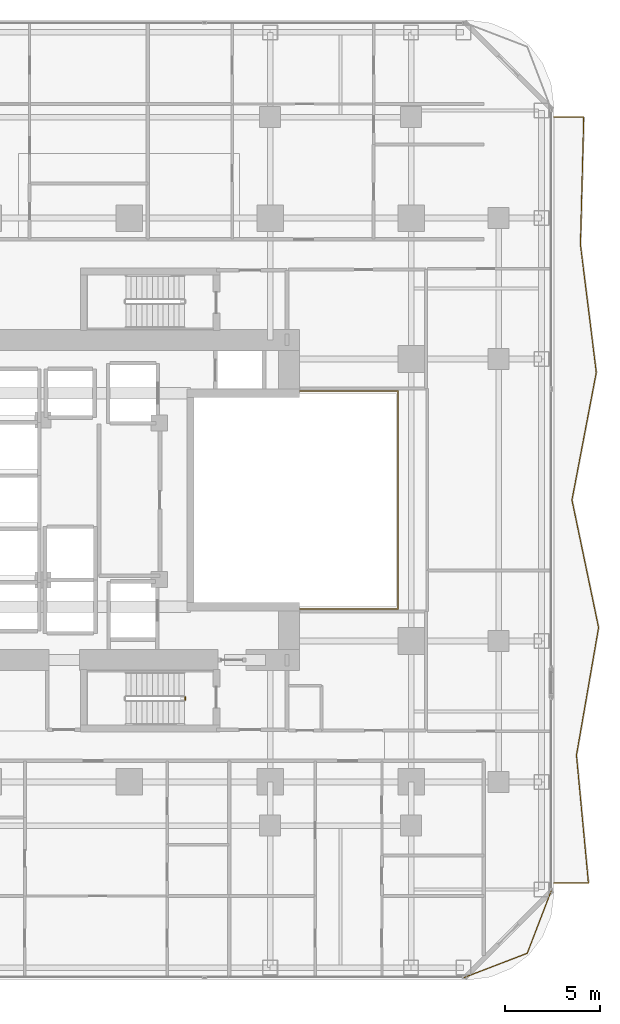
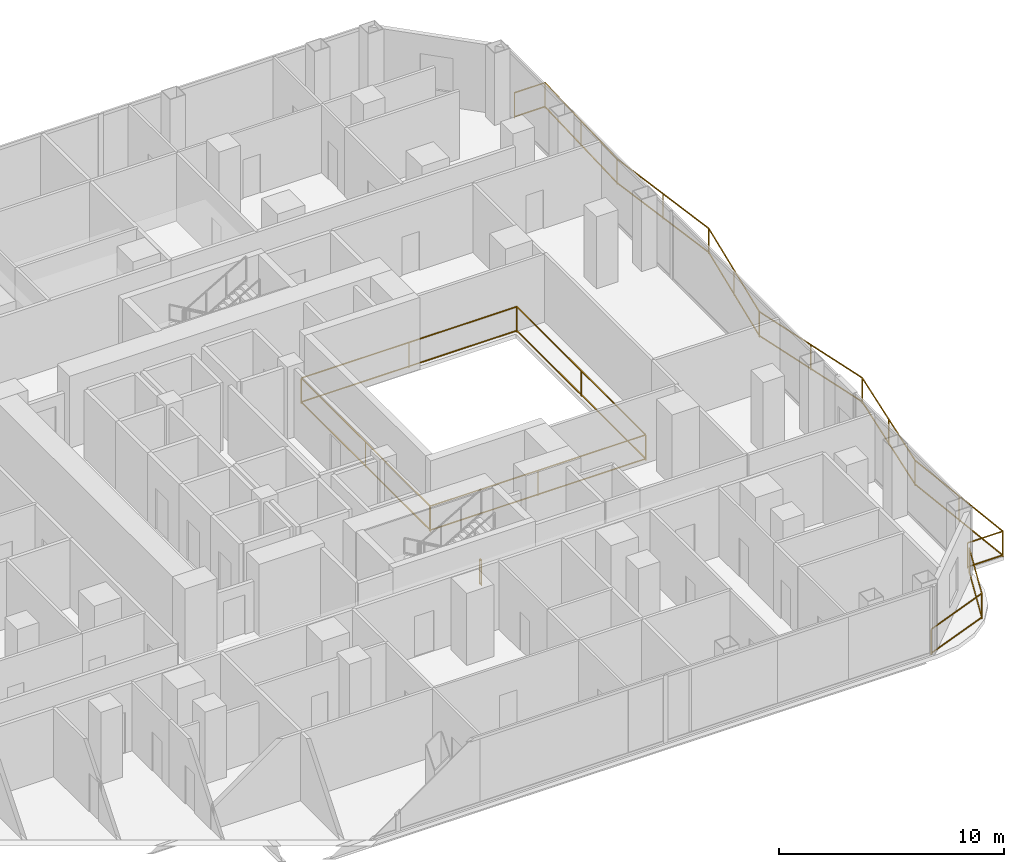
# One storey, part 27 of 29: 4 railings.
"""IFC4 building model written with IfcOpenShell, lengths in metres."""

from ifc_helpers import new_model, si_unit, direction, frame, origin, origin_2d, place, context, subcontext, project, spatial, rectangle, extrude, material, type_object, element, save


model = new_model("IFC4")

# Units and contexts
model_context = context("Model", 3, precision=1e-05, world=origin(), true_north=direction((0.0, 1.0)))
body_context = subcontext(model_context, "Body", "Model", "MODEL_VIEW")
ifc_project = project(units=[si_unit("LENGTHUNIT", "METRE"), si_unit("AREAUNIT", "SQUARE_METRE"), si_unit("VOLUMEUNIT", "CUBIC_METRE"), si_unit("PLANEANGLEUNIT", "RADIAN"), si_unit("MASSUNIT", "GRAM", prefix="KILO")], contexts=[model_context])

# Site, building, storey
site_placement = place(None, origin())
site = spatial("IfcSite", under=ifc_project, at=site_placement, CompositionType="ELEMENT")
building_placement = place(site_placement, origin())
building = spatial("IfcBuilding", under=site, at=building_placement, Name="Khorvyn Point Tower", CompositionType="ELEMENT")
storey_placement = place(building_placement, frame((0.0, 0.0, 61.800048828125)))
storey = spatial("IfcBuildingStorey", under=building, at=storey_placement, Name="L16", CompositionType="ELEMENT", Elevation=61.800048828125)

# Railings
ifc_material_1 = material(Name="Stainless steel 1.4401 and laminated glass", Category="steel")
railing_type_1 = type_object("IfcRailingType", Name="Crystal Atrium Smoke-Rated Perimeter Guardrail 1400", PredefinedType="GUARDRAIL", material=ifc_material_1)
railing_1_placement = place(storey_placement, frame((3.080078125, -5.719970703125, 0.0)))
element("IfcRailing", 1, at=railing_1_placement, inside=storey, type_object=railing_type_1, Name="L16 Crystal Atrium Perimeter Guardrail", PredefinedType="GUARDRAIL", context=body_context, shape_type="SweptSolid", body=[
    extrude(rectangle(XDim=0.048095703125, YDim=0.048095703125, at=origin_2d()), frame((0.0, 0.0, 1.3759765625), z_axis=(1.0, 0.0, 0.0), x_axis=(0.0, 1.0, 0.0)), (0.0, 0.0, 1.0), 11.0400390625),
    extrude(rectangle(XDim=0.048095703125, YDim=0.048095703125, at=origin_2d()), frame((0.0, 0.0, 0.080078125), z_axis=(1.0, 0.0, 0.0), x_axis=(0.0, 1.0, 0.0)), (0.0, 0.0, 1.0), 11.0400390625),
    extrude(rectangle(XDim=0.048095703125, YDim=0.048095703125, at=origin_2d()), frame((11.0400390625, 0.0, 1.3759765625), z_axis=(0.0, 1.0, 0.0), x_axis=(-1.0, 0.0, 0.0)), (0.0, 0.0, 1.0), 11.43994140625),
    extrude(rectangle(XDim=0.048095703125, YDim=0.048095703125, at=origin_2d()), frame((11.0400390625, 0.0, 0.080078125), z_axis=(0.0, 1.0, 0.0), x_axis=(-1.0, 0.0, 0.0)), (0.0, 0.0, 1.0), 11.43994140625),
    extrude(rectangle(XDim=0.048095703125, YDim=0.048095703125, at=origin_2d()), frame((11.0400390625, 11.43994140625, 1.3759765625), z_axis=(-1.0, 0.0, 0.0), x_axis=(0.0, -1.0, 0.0)), (0.0, 0.0, 1.0), 11.0400390625),
    extrude(rectangle(XDim=0.048095703125, YDim=0.048095703125, at=origin_2d()), frame((11.0400390625, 11.43994140625, 0.080078125), z_axis=(-1.0, 0.0, 0.0), x_axis=(0.0, -1.0, 0.0)), (0.0, 0.0, 1.0), 11.0400390625),
    extrude(rectangle(XDim=0.048095703125, YDim=0.048095703125, at=origin_2d()), frame((0.0, 11.43994140625, 1.3759765625), z_axis=(0.0, -1.0, 0.0), x_axis=(1.0, 0.0, 0.0)), (0.0, 0.0, 1.0), 11.409912109375),
    extrude(rectangle(XDim=0.048095703125, YDim=0.048095703125, at=origin_2d()), frame((0.0, 11.43994140625, 0.080078125), z_axis=(0.0, -1.0, 0.0), x_axis=(1.0, 0.0, 0.0)), (0.0, 0.0, 1.0), 11.409912109375),
    extrude(rectangle(XDim=0.0419921875, YDim=0.0419921875, at=origin_2d()), origin(), (0.0, 0.0, 1.0), 1.351806640625),
    extrude(rectangle(XDim=0.0419921875, YDim=0.0419921875, at=origin_2d()), frame((5.52001953125, 0.0, 0.0)), (0.0, 0.0, 1.0), 1.351806640625),
    extrude(rectangle(XDim=0.0419921875, YDim=0.0419921875, at=origin_2d()), frame((11.0400390625, 0.0, 0.0)), (0.0, 0.0, 1.0), 1.351806640625),
    extrude(rectangle(XDim=0.0419921875, YDim=0.0419921875, at=origin_2d()), frame((11.0400390625, 5.719970703125, 0.0)), (0.0, 0.0, 1.0), 1.351806640625),
    extrude(rectangle(XDim=0.0419921875, YDim=0.0419921875, at=origin_2d()), frame((11.0400390625, 11.43994140625, 0.0)), (0.0, 0.0, 1.0), 1.351806640625),
    extrude(rectangle(XDim=0.0419921875, YDim=0.0419921875, at=origin_2d()), frame((5.52001953125, 11.43994140625, 0.0)), (0.0, 0.0, 1.0), 1.351806640625),
    extrude(rectangle(XDim=0.0419921875, YDim=0.0419921875, at=origin_2d()), frame((0.0, 11.43994140625, 0.0)), (0.0, 0.0, 1.0), 1.351806640625),
    extrude(rectangle(XDim=0.0419921875, YDim=0.0419921875, at=origin_2d()), frame((0.0, 5.73486328125, 0.0)), (0.0, 0.0, 1.0), 1.351806640625),
    extrude(rectangle(XDim=0.0419921875, YDim=0.0419921875, at=origin_2d()), frame((0.0, 0.030029296875, 0.0)), (0.0, 0.0, 1.0), 1.351806640625),
])
ifc_material_2 = material(Name="Anodised aluminium 6063-T6 and laminated safety glass", Category="aluminium")
railing_type_2 = type_object("IfcRailingType", Name="Laminated Glass and Aluminium Balcony Guardrail 1400", PredefinedType="BALUSTRADE", material=ifc_material_2)
railing_2_placement = place(storey_placement, frame((17.57080078125, -25.073974609375, 0.0)))
element("IfcRailing", 2, at=railing_2_placement, inside=storey, type_object=railing_type_2, Name="L16 Rounded Corner Edge Guardrail SE", PredefinedType="BALUSTRADE", context=body_context, shape_type="SweptSolid", body=[
    extrude(rectangle(XDim=0.048095703125, YDim=0.048095703125, at=origin_2d()), frame((0.0, 0.0, 1.3759765625), z_axis=(0.933583807283, 0.358359142172, 0.0), x_axis=(-0.358359142172, 0.933583807283, 0.0)), (0.0, 0.0, 1.0), 3.56298828125),
    extrude(rectangle(XDim=0.048095703125, YDim=0.048095703125, at=origin_2d()), frame((0.0, 0.0, 0.080078125), z_axis=(0.933583807283, 0.358359142172, 0.0), x_axis=(-0.358359142172, 0.933583807283, 0.0)), (0.0, 0.0, 1.0), 3.56298828125),
    extrude(rectangle(XDim=0.048095703125, YDim=0.048095703125, at=origin_2d()), frame((3.326416015625, 1.27685546875, 1.3759765625), z_axis=(0.358359142172, 0.933583807283, 0.0), x_axis=(-0.933583807283, 0.358359142172, 0.0)), (0.0, 0.0, 1.0), 3.56298828125),
    extrude(rectangle(XDim=0.048095703125, YDim=0.048095703125, at=origin_2d()), frame((3.326416015625, 1.27685546875, 0.080078125), z_axis=(0.358359142172, 0.933583807283, 0.0), x_axis=(-0.933583807283, 0.358359142172, 0.0)), (0.0, 0.0, 1.0), 3.56298828125),
    extrude(rectangle(XDim=0.0419921875, YDim=0.0419921875, at=origin_2d()), origin(), (0.0, 0.0, 1.0), 1.351806640625),
    extrude(rectangle(XDim=0.0419921875, YDim=0.0419921875, at=origin_2d()), frame((3.326416015625, 1.27685546875, 0.0)), (0.0, 0.0, 1.0), 1.351806640625),
    extrude(rectangle(XDim=0.0419921875, YDim=0.0419921875, at=origin_2d()), frame((4.603271484375, 4.603271484375, 0.0)), (0.0, 0.0, 1.0), 1.351806640625),
])
railing_3_placement = place(storey_placement, frame((22.300048828125, -20.10009765625, 0.0)))
element("IfcRailing", 3, at=railing_3_placement, inside=storey, type_object=railing_type_2, Name="L16 East Balcony Guardrail", PredefinedType="BALUSTRADE", context=body_context, shape_type="SweptSolid", body=[
    extrude(rectangle(XDim=0.048095703125, YDim=0.048095703125, at=origin_2d()), frame((0.0, 0.0, 1.3759765625), z_axis=(1.0, 0.0, 0.0), x_axis=(0.0, 1.0, 0.0)), (0.0, 0.0, 1.0), 1.80810546875),
    extrude(rectangle(XDim=0.048095703125, YDim=0.048095703125, at=origin_2d()), frame((0.0, 0.0, 0.080078125), z_axis=(1.0, 0.0, 0.0), x_axis=(0.0, 1.0, 0.0)), (0.0, 0.0, 1.0), 1.80810546875),
    extrude(rectangle(XDim=0.048095703125, YDim=0.048095703125, at=origin_2d()), frame((1.80810546875, 0.0, 1.3759765625), z_axis=(-0.093417128562, 0.995627058738, 0.0), x_axis=(-0.995627058738, -0.093417128562, 0.0)), (0.0, 0.0, 1.0), 6.729736328125),
    extrude(rectangle(XDim=0.048095703125, YDim=0.048095703125, at=origin_2d()), frame((1.80810546875, 0.0, 0.080078125), z_axis=(-0.093417128562, 0.995627058738, 0.0), x_axis=(-0.995627058738, -0.093417128562, 0.0)), (0.0, 0.0, 1.0), 6.729736328125),
    extrude(rectangle(XDim=0.048095703125, YDim=0.048095703125, at=origin_2d()), frame((1.179443359375, 6.7001953125, 1.3759765625), z_axis=(0.170794159587, 0.985306731455, 0.0), x_axis=(-0.985306731455, 0.170794159587, 0.0)), (0.0, 0.0, 1.0), 6.7998046875),
    extrude(rectangle(XDim=0.048095703125, YDim=0.048095703125, at=origin_2d()), frame((1.179443359375, 6.7001953125, 0.080078125), z_axis=(0.170794159587, 0.985306731455, 0.0), x_axis=(-0.985306731455, 0.170794159587, 0.0)), (0.0, 0.0, 1.0), 6.7998046875),
    extrude(rectangle(XDim=0.048095703125, YDim=0.048095703125, at=origin_2d()), frame((2.3408203125, 13.400146484375, 1.3759765625), z_axis=(-0.204251957778, 0.978918350908, 0.0), x_axis=(-0.978918350908, -0.204251957778, 0.0)), (0.0, 0.0, 1.0), 6.84423828125),
    extrude(rectangle(XDim=0.048095703125, YDim=0.048095703125, at=origin_2d()), frame((2.3408203125, 13.400146484375, 0.080078125), z_axis=(-0.204251957778, 0.978918350908, 0.0), x_axis=(-0.978918350908, -0.204251957778, 0.0)), (0.0, 0.0, 1.0), 6.84423828125),
    extrude(rectangle(XDim=0.048095703125, YDim=0.048095703125, at=origin_2d()), frame((0.94287109375, 20.10009765625, 1.3759765625), z_axis=(0.187380201477, 0.982287463065, 0.0), x_axis=(-0.982287463065, 0.187380201477, 0.0)), (0.0, 0.0, 1.0), 6.82080078125),
    extrude(rectangle(XDim=0.048095703125, YDim=0.048095703125, at=origin_2d()), frame((0.94287109375, 20.10009765625, 0.080078125), z_axis=(0.187380201477, 0.982287463065, 0.0), x_axis=(-0.982287463065, 0.187380201477, 0.0)), (0.0, 0.0, 1.0), 6.82080078125),
    extrude(rectangle(XDim=0.048095703125, YDim=0.048095703125, at=origin_2d()), frame((2.220947265625, 26.800048828125, 1.3759765625), z_axis=(-0.123273643235, 0.992372716717, 0.0), x_axis=(-0.992372716717, -0.123273643235, 0.0)), (0.0, 0.0, 1.0), 6.75146484375),
    extrude(rectangle(XDim=0.048095703125, YDim=0.048095703125, at=origin_2d()), frame((2.220947265625, 26.800048828125, 0.080078125), z_axis=(-0.123273643235, 0.992372716717, 0.0), x_axis=(-0.992372716717, -0.123273643235, 0.0)), (0.0, 0.0, 1.0), 6.75146484375),
    extrude(rectangle(XDim=0.048095703125, YDim=0.048095703125, at=origin_2d()), frame((1.388671875, 33.5, 1.3759765625), z_axis=(0.025971414337, 0.999662685928, 0.0), x_axis=(-0.999662685928, 0.025971414337, 0.0)), (0.0, 0.0, 1.0), 6.702392578125),
    extrude(rectangle(XDim=0.048095703125, YDim=0.048095703125, at=origin_2d()), frame((1.388671875, 33.5, 0.080078125), z_axis=(0.025971414337, 0.999662685928, 0.0), x_axis=(-0.999662685928, 0.025971414337, 0.0)), (0.0, 0.0, 1.0), 6.702392578125),
    extrude(rectangle(XDim=0.048095703125, YDim=0.048095703125, at=origin_2d()), frame((1.562744140625, 40.2001953125, 1.3759765625), z_axis=(-1.0, 0.0, 0.0), x_axis=(0.0, -1.0, 0.0)), (0.0, 0.0, 1.0), 1.562744140625),
    extrude(rectangle(XDim=0.048095703125, YDim=0.048095703125, at=origin_2d()), frame((1.562744140625, 40.2001953125, 0.080078125), z_axis=(-1.0, 0.0, 0.0), x_axis=(0.0, -1.0, 0.0)), (0.0, 0.0, 1.0), 1.562744140625),
    extrude(rectangle(XDim=0.0419921875, YDim=0.0419921875, at=origin_2d()), origin(), (0.0, 0.0, 1.0), 1.351806640625),
    extrude(rectangle(XDim=0.0419921875, YDim=0.0419921875, at=origin_2d()), frame((1.80810546875, 0.0, 0.0)), (0.0, 0.0, 1.0), 1.351806640625),
    extrude(rectangle(XDim=0.0419921875, YDim=0.0419921875, at=origin_2d()), frame((1.49365234375, 3.35009765625, 0.0)), (0.0, 0.0, 1.0), 1.351806640625),
    extrude(rectangle(XDim=0.0419921875, YDim=0.0419921875, at=origin_2d()), frame((1.179443359375, 6.7001953125, 0.0)), (0.0, 0.0, 1.0), 1.351806640625),
    extrude(rectangle(XDim=0.0419921875, YDim=0.0419921875, at=origin_2d()), frame((1.76025390625, 10.05029296875, 0.0)), (0.0, 0.0, 1.0), 1.351806640625),
    extrude(rectangle(XDim=0.0419921875, YDim=0.0419921875, at=origin_2d()), frame((2.3408203125, 13.400146484375, 0.0)), (0.0, 0.0, 1.0), 1.351806640625),
    extrude(rectangle(XDim=0.0419921875, YDim=0.0419921875, at=origin_2d()), frame((1.641845703125, 16.75, 0.0)), (0.0, 0.0, 1.0), 1.351806640625),
    extrude(rectangle(XDim=0.0419921875, YDim=0.0419921875, at=origin_2d()), frame((0.94287109375, 20.10009765625, 0.0)), (0.0, 0.0, 1.0), 1.351806640625),
    extrude(rectangle(XDim=0.0419921875, YDim=0.0419921875, at=origin_2d()), frame((1.58203125, 23.4501953125, 0.0)), (0.0, 0.0, 1.0), 1.351806640625),
    extrude(rectangle(XDim=0.0419921875, YDim=0.0419921875, at=origin_2d()), frame((2.220947265625, 26.800048828125, 0.0)), (0.0, 0.0, 1.0), 1.351806640625),
    extrude(rectangle(XDim=0.0419921875, YDim=0.0419921875, at=origin_2d()), frame((1.8046875, 30.14990234375, 0.0)), (0.0, 0.0, 1.0), 1.351806640625),
    extrude(rectangle(XDim=0.0419921875, YDim=0.0419921875, at=origin_2d()), frame((1.388671875, 33.5, 0.0)), (0.0, 0.0, 1.0), 1.351806640625),
    extrude(rectangle(XDim=0.0419921875, YDim=0.0419921875, at=origin_2d()), frame((1.4755859375, 36.85009765625, 0.0)), (0.0, 0.0, 1.0), 1.351806640625),
    extrude(rectangle(XDim=0.0419921875, YDim=0.0419921875, at=origin_2d()), frame((1.562744140625, 40.2001953125, 0.0)), (0.0, 0.0, 1.0), 1.351806640625),
    extrude(rectangle(XDim=0.0419921875, YDim=0.0419921875, at=origin_2d()), frame((0.0, 40.2001953125, 0.0)), (0.0, 0.0, 1.0), 1.351806640625),
])
ifc_material_3 = material(Name="Stainless steel 1.4301", Category="steel")
railing_type_3 = type_object("IfcRailingType", Name="Stainless Steel 304 Stair Well Guardrail 1400", PredefinedType="GUARDRAIL", material=ifc_material_3)
railing_4_placement = place(storey_placement, frame((2.949951171875, -10.340087890625, 0.0)))
element("IfcRailing", 4, at=railing_4_placement, inside=storey, type_object=railing_type_3, Name="L16 ST-01 stair guard 4", PredefinedType="GUARDRAIL", context=body_context, shape_type="SweptSolid", body=[
    extrude(rectangle(XDim=0.048095703125, YDim=0.048095703125, at=origin_2d()), frame((0.0, 0.0, 1.3759765625), z_axis=(0.0, -1.0, 0.0), x_axis=(1.0, 0.0, 0.0)), (0.0, 0.0, 1.0), 0.159912109375),
    extrude(rectangle(XDim=0.048095703125, YDim=0.048095703125, at=origin_2d()), frame((0.0, 0.0, 0.080078125), z_axis=(0.0, -1.0, 0.0), x_axis=(1.0, 0.0, 0.0)), (0.0, 0.0, 1.0), 0.159912109375),
    extrude(rectangle(XDim=0.0419921875, YDim=0.0419921875, at=origin_2d()), origin(), (0.0, 0.0, 1.0), 1.351806640625),
    extrude(rectangle(XDim=0.0419921875, YDim=0.0419921875, at=origin_2d()), frame((0.0, -0.159912109375, 0.0)), (0.0, 0.0, 1.0), 1.351806640625),
])

save(model, "model.ifc")
